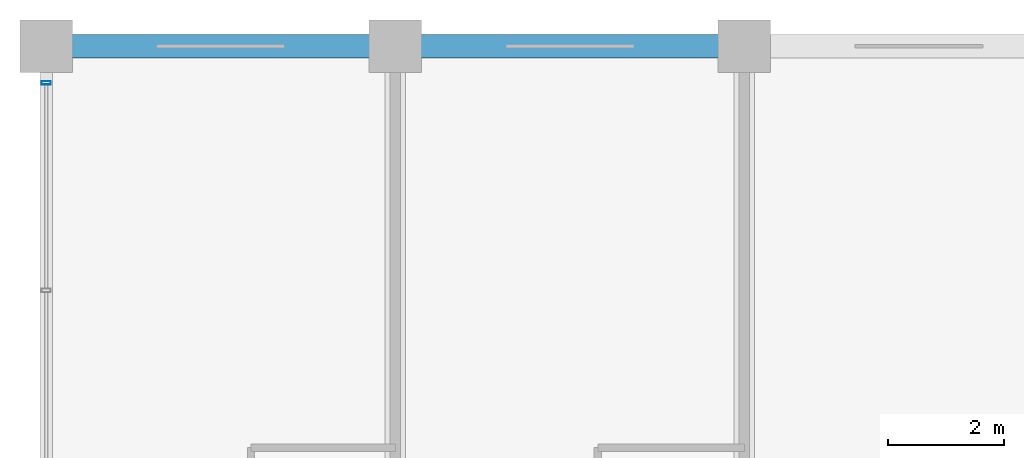
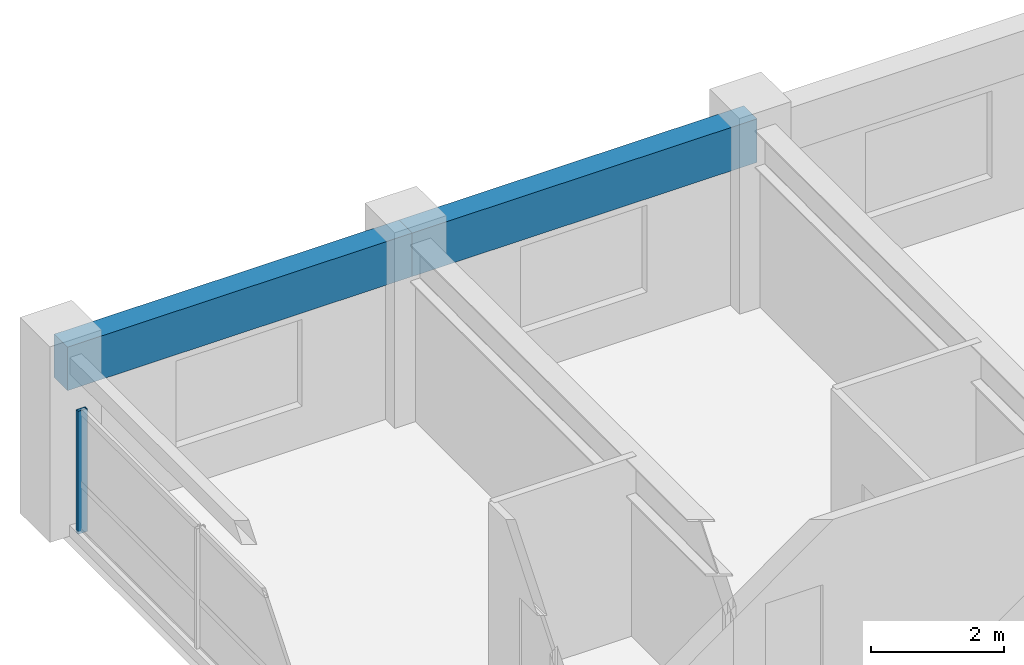
# One storey, part 10 of 22: 2 beams, 1 member, 1 element without a shape of its own.
"""IFC4 building model written with IfcOpenShell, lengths in metres."""

from ifc_helpers import new_model, si_unit, direction, frame, origin, origin_2d, place, context, subcontext, project, spatial, rectangle, hollow_rectangle, extrude, material, material_profile, profile_set, type_object, element, aggregate, save


model = new_model("IFC4")

# Units and contexts
model_context = context("Model", 3, precision=1e-05, world=origin(), true_north=direction((0.0, 1.0)))
body_context = subcontext(model_context, "Body", "Model", "MODEL_VIEW")
ifc_project = project(units=[si_unit("LENGTHUNIT", "METRE"), si_unit("AREAUNIT", "SQUARE_METRE"), si_unit("VOLUMEUNIT", "CUBIC_METRE"), si_unit("PLANEANGLEUNIT", "RADIAN"), si_unit("MASSUNIT", "GRAM", prefix="KILO")], contexts=[model_context])

# Site, building, storey
site_placement = place(None, origin())
site = spatial("IfcSite", under=ifc_project, at=site_placement, CompositionType="ELEMENT")
building_placement = place(site_placement, origin())
building = spatial("IfcBuilding", under=site, at=building_placement, Name="Kaldorvane Square Convention Centre", CompositionType="ELEMENT")
storey_placement = place(building_placement, frame((0.0, 0.0, 31.199996948242188)))
storey = spatial("IfcBuildingStorey", under=building, at=storey_placement, Name="L06", CompositionType="ELEMENT", Elevation=31.199996948242188)

# Beams
ifc_material_1 = material(Name="Concrete f'c = 42 MPa (Normalweight)", Category="concrete")
ifc_material_profile_1 = material_profile(ifc_material_1, rectangle(XDim=0.399993896484375, YDim=0.8000030517578125, at=origin_2d()), Name="RCSP800X400")
ifc_profile_set_1 = profile_set([ifc_material_profile_1], Name="Concrete f'c = 42 MPa (Normalweight)")
beam_type = type_object("IfcBeamType", Name="BM-SP-RC800", PredefinedType="SPANDREL", material=ifc_profile_set_1)
for number, where, z_axis, x_axis, name in (
    (1, (24.0, 117.0, 2.8860015869140625), (1.0, 0.0, 0.0), (0.0, 1.0, 0.0), "Perimeter Spandrel (L06)"),
    (2, (30.0, 117.0, 2.8860015869140625), (1.0, 0.0, 0.0), (0.0, 1.0, 0.0), "Perimeter Spandrel (L06)"),
):
    element("IfcBeam", number, at=place(storey_placement, frame(where, z_axis=z_axis, x_axis=x_axis)), inside=storey, type_object=beam_type, Name=name, PredefinedType="SPANDREL", context=body_context, shape_type="SweptSolid", body=[
        extrude(rectangle(XDim=0.399993896484375, YDim=0.8000030517578125, at=origin_2d()), origin(), (0.0, 0.0, 1.0), 6.0),
    ])

# Curtain wall, member
ifc_material_2 = material(Name="Anodized Aluminum and Low-E Insulated Glazing", Category="aluminium")
curtain_wall_type = type_object("IfcCurtainWallType", Name="CW-UNI-HTL-B", PredefinedType="USERDEFINED", material=ifc_material_2)
curtain_wall_placement = place(storey_placement, origin())
curtain_wall = element("IfcCurtainWall", 3, at=curtain_wall_placement, inside=storey, type_object=curtain_wall_type, Name="Curtain Wall CW-11 (L06)", ObjectType="UNITISED GLAZING", PredefinedType="USERDEFINED")
ifc_material_profile_2 = material_profile(ifc_material_2, hollow_rectangle(XDim=0.05999755859375, YDim=0.160003662109375, WallThickness=0.003204345703125, at=origin_2d()), Name="CWM-160X60")
ifc_profile_set_2 = profile_set([ifc_material_profile_2], Name="Anodized Aluminum and Low-E Insulated Glazing")
member_type = type_object("IfcMemberType", Name="CW-MUL-160", PredefinedType="MULLION", material=ifc_profile_set_2)
member_placement = place(storey_placement, frame((24.0, 116.3699951171875, 0.1500091552734375), z_axis=(0.0, 0.0, 1.0), x_axis=(0.0, -1.0, 0.0)))
member = element("IfcMember", 4, at=member_placement, type_object=member_type, Name="CW-11 mullion 1", PredefinedType="MULLION", context=body_context, shape_type="SweptSolid", body=[
    extrude(hollow_rectangle(XDim=0.05999755859375, YDim=0.160003662109375, WallThickness=0.003204345703125, at=origin_2d()), origin(), (0.0, 0.0, 1.0), 2.2599945068359375),
])
aggregate(curtain_wall, [member])

save(model, "model.ifc")
